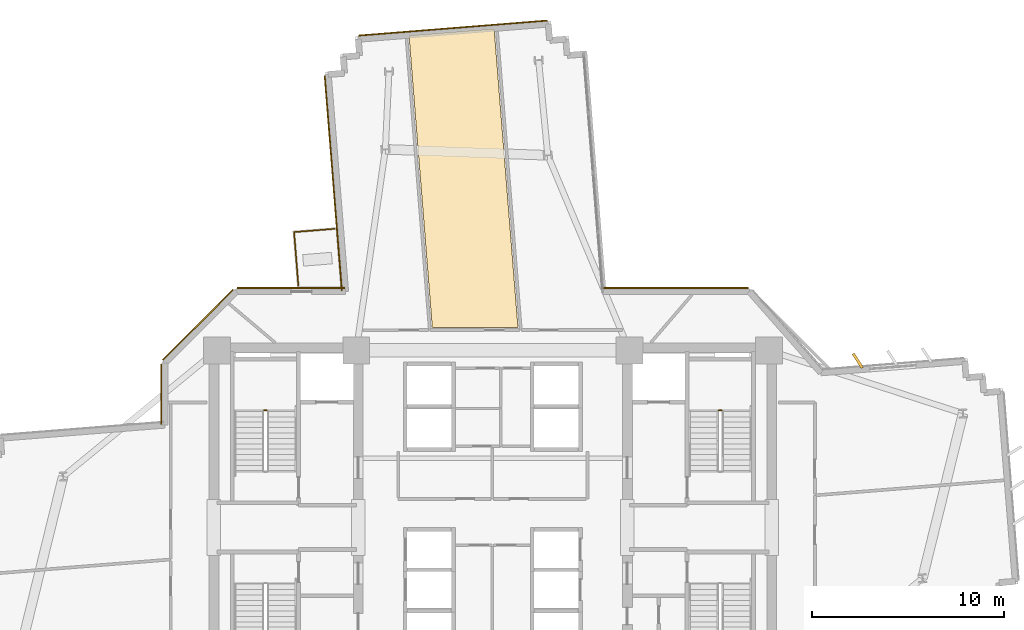
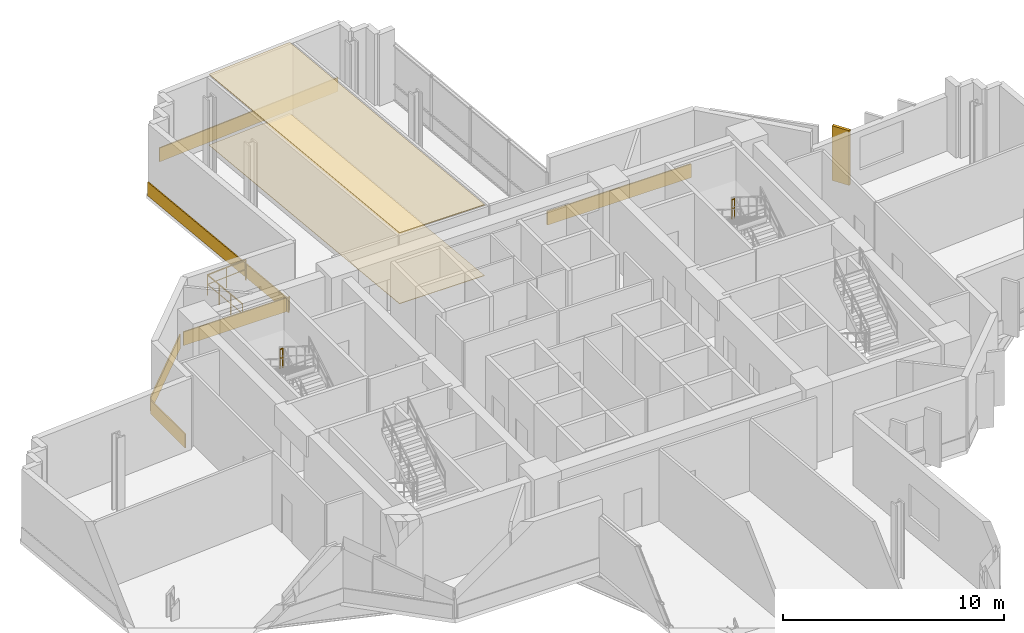
# One storey, part 14 of 15: 9 coverings, 4 railings.
"""IFC4 building model written with IfcOpenShell, lengths in metres."""

from ifc_helpers import new_model, si_unit, direction, frame, origin, origin_2d, place, context, subcontext, project, spatial, polyline, rectangle, outline, extrude, source, transform, mapped, material, layer, layer_set, type_object, element, save


model = new_model("IFC4")

# Units and contexts
model_context = context("Model", 3, precision=1e-05, world=origin(), true_north=direction((0.0, 1.0)))
body_context = subcontext(model_context, "Body", "Model", "MODEL_VIEW")
ifc_project = project(units=[si_unit("LENGTHUNIT", "METRE"), si_unit("AREAUNIT", "SQUARE_METRE"), si_unit("VOLUMEUNIT", "CUBIC_METRE"), si_unit("PLANEANGLEUNIT", "RADIAN"), si_unit("MASSUNIT", "GRAM", prefix="KILO")], contexts=[model_context])

# Site, building, storey
site_placement = place(None, origin())
site = spatial("IfcSite", under=ifc_project, at=site_placement, CompositionType="ELEMENT")
building_placement = place(site_placement, origin())
building = spatial("IfcBuilding", under=site, at=building_placement, Name="Zahravan Cultural Tower", CompositionType="ELEMENT")
storey_placement = place(building_placement, frame((0.0, 0.0, 83.699951171875)))
storey = spatial("IfcBuildingStorey", under=building, at=storey_placement, Name="L18", CompositionType="ELEMENT", Elevation=83.699951171875)

# Coverings
ifc_material_1 = material(Name="Acoustic mineral fibreboard")
ifc_layer_1 = layer(ifc_material_1, 0.0400390625)
ifc_layer_set_1 = layer_set([ifc_layer_1], Name="Acoustic mineral fibreboard")
covering_type_1 = type_object("IfcCoveringType", Name="COV-CEIL-AC20", PredefinedType="CEILING", material=ifc_layer_set_1)
covering_1_placement = place(storey_placement, frame((0.0, 0.0, 3.91015625)))
element("IfcCovering", 1, at=covering_1_placement, inside=storey, type_object=covering_type_1, Name="L18 Acoustic Suspended Ceiling", PredefinedType="CEILING", context=body_context, shape_type="SweptSolid", body=[
    extrude(outline(polyline([(31.642822265625, 52.574462890625), (32.853271484375, 37.39990234375), (37.307373046875, 37.39990234375), (36.06884765625, 52.927490234375), (31.642822265625, 52.574462890625)])), origin(), (0.0, 0.0, 1.0), 0.039794921875),
])
ifc_material_2 = material(Name="Terrazzo flooring")
ifc_layer_2 = layer(ifc_material_2, 0.02490234375)
ifc_layer_set_2 = layer_set([ifc_layer_2], Name="Terrazzo flooring")
covering_type_2 = type_object("IfcCoveringType", Name="COV-FLR-TZ25", PredefinedType="FLOORING", material=ifc_layer_set_2)
covering_2_placement = place(storey_placement, origin())
element("IfcCovering", 2, at=covering_2_placement, inside=storey, type_object=covering_type_2, Name="L18 Polished Terrazzo Flooring", PredefinedType="FLOORING", context=body_context, shape_type="SweptSolid", body=[
    extrude(outline(polyline([(31.642822265625, 52.574462890625), (32.853271484375, 37.39990234375), (37.307373046875, 37.39990234375), (36.06884765625, 52.927490234375), (31.642822265625, 52.574462890625)])), origin(), (0.0, 0.0, 1.0), 0.025146484375),
])

# Railings
ifc_material_3 = material(Name="Steel ASTM A572 Grade 50", Category="steel")
railing_type_1 = type_object("IfcRailingType", Name="RL-BAL-1150", PredefinedType="BALUSTRADE", material=ifc_material_3)
railing_1_placement = place(storey_placement, frame((25.666259765625, 42.357177734375, 0.0)))
element("IfcRailing", 3, at=railing_1_placement, inside=storey, type_object=railing_type_1, Name="L18 Edge Balustrade GRD-TR-L18-NW-01", PredefinedType="BALUSTRADE", context=body_context, shape_type="SweptSolid", body=[
    extrude(rectangle(XDim=0.05, YDim=0.05, at=origin_2d()), frame((0.0, 0.0, 1.125), z_axis=(0.996842940855, 0.079398685551, 0.0), x_axis=(-0.079398685551, 0.996842940855, 0.0)), (0.0, 0.0, 1.0), 2.10009765625),
    extrude(rectangle(XDim=0.032, YDim=0.032, at=origin_2d()), frame((0.0, 0.0, 0.597900390625), z_axis=(0.996842940855, 0.079398685551, 0.0), x_axis=(-0.079398685551, 0.996842940855, 0.0)), (0.0, 0.0, 1.0), 2.10009765625),
    extrude(rectangle(XDim=0.04, YDim=0.04, at=origin_2d()), origin(), (0.0, 0.0, 1.0), 1.14990234375),
    extrude(rectangle(XDim=0.04, YDim=0.04, at=origin_2d()), frame((1.046875, 0.08349609375, 0.0)), (0.0, 0.0, 1.0), 1.14990234375),
    extrude(rectangle(XDim=0.04, YDim=0.04, at=origin_2d()), frame((2.093505859375, 0.166748046875, 0.0)), (0.0, 0.0, 1.0), 1.14990234375),
])
railing_2_placement = place(storey_placement, frame((25.887939453125, 39.580078125, 0.0)))
element("IfcRailing", 4, at=railing_2_placement, inside=storey, type_object=railing_type_1, Name="L18 Edge Balustrade GRD-TR-L18-NW-02", PredefinedType="BALUSTRADE", context=body_context, shape_type="SweptSolid", body=[
    extrude(rectangle(XDim=0.05, YDim=0.05, at=origin_2d()), frame((0.0, 0.0, 1.125), z_axis=(-0.079571068968, 0.996829195491, 0.0), x_axis=(-0.996829195491, -0.079571068968, 0.0)), (0.0, 0.0, 1.0), 2.785888671875),
    extrude(rectangle(XDim=0.032, YDim=0.032, at=origin_2d()), frame((0.0, 0.0, 0.597900390625), z_axis=(-0.079571068968, 0.996829195491, 0.0), x_axis=(-0.996829195491, -0.079571068968, 0.0)), (0.0, 0.0, 1.0), 2.785888671875),
    extrude(rectangle(XDim=0.04, YDim=0.04, at=origin_2d()), origin(), (0.0, 0.0, 1.0), 1.14990234375),
    extrude(rectangle(XDim=0.04, YDim=0.04, at=origin_2d()), frame((-0.073974609375, 0.92578125, 0.0)), (0.0, 0.0, 1.0), 1.14990234375),
    extrude(rectangle(XDim=0.04, YDim=0.04, at=origin_2d()), frame((-0.147705078125, 1.851318359375, 0.0)), (0.0, 0.0, 1.0), 1.14990234375),
    extrude(rectangle(XDim=0.04, YDim=0.04, at=origin_2d()), frame((-0.2216796875, 2.777099609375, 0.0)), (0.0, 0.0, 1.0), 1.14990234375),
])
railing_type_2 = type_object("IfcRailingType", Name="RL-STAIR-GRD1150", PredefinedType="BALUSTRADE", material=ifc_material_3)
for number, where, name in (
    (5, (24.25, 33.080078125, 2.10009765625), "L18 ST-W1 stair guard 2"),
    (6, (47.89990234375, 33.080078125, 2.10009765625), "L18 ST-E1 stair guard 2"),
):
    element("IfcRailing", number, at=place(storey_placement, frame(where)), inside=storey, type_object=railing_type_2, Name=name, PredefinedType="BALUSTRADE", context=body_context, shape_type="SweptSolid", body=[
        extrude(rectangle(XDim=0.05, YDim=0.05, at=origin_2d()), frame((0.0, 0.0, 1.0751953125), z_axis=(-1.0, 0.0, 0.0), x_axis=(0.0, -1.0, 0.0)), (0.0, 0.0, 1.0), 0.14990234375),
        extrude(rectangle(XDim=0.032, YDim=0.032, at=origin_2d()), frame((0.0, 0.0, 0.572021484375), z_axis=(-1.0, 0.0, 0.0), x_axis=(0.0, -1.0, 0.0)), (0.0, 0.0, 1.0), 0.14990234375),
        extrude(rectangle(XDim=0.04, YDim=0.04, at=origin_2d()), origin(), (0.0, 0.0, 1.0), 1.10009765625),
        extrude(rectangle(XDim=0.04, YDim=0.04, at=origin_2d()), frame((-0.14990234375, 0.0, 0.0)), (0.0, 0.0, 1.0), 1.10009765625),
    ])

# Coverings
ifc_material_4 = material(Name="Terracotta ceramic cladding", Category="masonry")
ifc_layer_3 = layer(ifc_material_4, 0.06005859375)
ifc_layer_set_3 = layer_set([ifc_layer_3], Name="Terracotta ceramic cladding")
covering_type_3 = type_object("IfcCoveringType", Name="COV-CLAD-TC60", PredefinedType="CLADDING", material=ifc_layer_set_3)
shared_shape_1 = source(origin(), body_context, "Body", "SweptSolid", [
    extrude(rectangle(XDim=9.820068359375, YDim=0.06005859375, at=origin_2d()), origin(), (0.0, 0.0, 1.0), 0.760009765625),
])
covering_3_placement = place(storey_placement, frame((33.929443359375, 52.962646484375, 0.02001953125), z_axis=(0.0, 0.0, 1.0), x_axis=(0.996834624954, 0.079503021908, 0.0)))
element("IfcCovering", 7, at=covering_3_placement, inside=storey, type_object=covering_type_3, Name="L18 Terracotta Spandrel Cladding 46", PredefinedType="CLADDING", context=body_context, shape_type="MappedRepresentation", body=[
    mapped(shared_shape_1, transform((0.0, 0.0, 0.0), x_axis=(1.0, 0.0, 0.0), y_axis=(0.0, 1.0, 0.0), z_axis=(0.0, 0.0, 1.0), scale=1.0)),
])
shared_shape_2 = source(origin(), body_context, "Body", "SweptSolid", [
    extrude(rectangle(XDim=5.157958984375, YDim=0.06005859375, at=origin_2d()), origin(), (0.0, 0.0, 1.0), 0.760009765625),
])
covering_4_placement = place(storey_placement, frame((20.668212890625, 37.53173828125, 0.02001953125), z_axis=(0.0, 0.0, 1.0), x_axis=(0.707106781187, 0.707106781187, 0.0)))
element("IfcCovering", 8, at=covering_4_placement, inside=storey, type_object=covering_type_3, Name="L18 Terracotta Spandrel Cladding 39", PredefinedType="CLADDING", context=body_context, shape_type="MappedRepresentation", body=[
    mapped(shared_shape_2, transform((0.0, 0.0, 0.0), x_axis=(1.0, 0.0, 0.0), y_axis=(0.0, 1.0, 0.0), z_axis=(0.0, 0.0, 1.0), scale=1.0)),
])
shared_shape_3 = source(origin(), body_context, "Body", "SweptSolid", [
    extrude(rectangle(XDim=0.8798828125, YDim=0.139892578125, at=origin_2d()), origin(), (0.0, 0.0, 1.0), 3.030029296875),
])
covering_5_placement = place(storey_placement, frame((54.973876953125, 35.666015625, 0.0498046875), z_axis=(0.0, 0.0, 1.0), x_axis=(-0.538182511035, 0.842828324641, 0.0)))
element("IfcCovering", 9, at=covering_5_placement, inside=storey, type_object=covering_type_3, Name="L18 Herringbone Terracotta Fin 01", PredefinedType="CLADDING", context=body_context, shape_type="MappedRepresentation", body=[
    mapped(shared_shape_3, transform((0.0, 0.0, 0.0), x_axis=(1.0, 0.0, 0.0), y_axis=(0.0, 1.0, 0.0), z_axis=(0.0, 0.0, 1.0), scale=1.0)),
])
shared_shape_4 = source(origin(), body_context, "Body", "SweptSolid", [
    extrude(rectangle(XDim=3.12158203125, YDim=0.06005859375, at=origin_2d()), origin(), (0.0, 0.0, 1.0), 0.760009765625),
])
covering_6_placement = place(storey_placement, frame((18.7548828125, 33.931396484375, 0.02001953125), z_axis=(0.0, 0.0, 1.0), x_axis=(0.0, 1.0, 0.0)))
element("IfcCovering", 10, at=covering_6_placement, inside=storey, type_object=covering_type_3, Name="L18 Terracotta Spandrel Cladding 38", PredefinedType="CLADDING", context=body_context, shape_type="MappedRepresentation", body=[
    mapped(shared_shape_4, transform((0.0, 0.0, 0.0), x_axis=(1.0, 0.0, 0.0), y_axis=(0.0, 1.0, 0.0), z_axis=(0.0, 0.0, 1.0), scale=1.0)),
])
shared_shape_5 = source(origin(), body_context, "Body", "SweptSolid", [
    extrude(rectangle(XDim=5.5830078125, YDim=0.06005859375, at=origin_2d()), origin(), (0.0, 0.0, 1.0), 0.760009765625),
])
covering_7_placement = place(storey_placement, frame((25.49951171875, 39.445068359375, 0.02001953125), z_axis=(0.0, 0.0, 1.0), x_axis=(1.0, 0.0, 0.0)))
element("IfcCovering", 11, at=covering_7_placement, inside=storey, type_object=covering_type_3, Name="L18 Terracotta Spandrel Cladding 40", PredefinedType="CLADDING", context=body_context, shape_type="MappedRepresentation", body=[
    mapped(shared_shape_5, transform((0.0, 0.0, 0.0), x_axis=(1.0, 0.0, 0.0), y_axis=(0.0, 1.0, 0.0), z_axis=(0.0, 0.0, 1.0), scale=1.0)),
])
shared_shape_6 = source(origin(), body_context, "Body", "SweptSolid", [
    extrude(rectangle(XDim=11.22998046875, YDim=0.06005859375, at=origin_2d()), origin(), (0.0, 0.0, 1.0), 0.760009765625),
])
covering_8_placement = place(storey_placement, frame((27.706298828125, 44.892333984375, 0.02001953125), z_axis=(0.0, 0.0, 1.0), x_axis=(-0.079503021908, 0.996834624954, 0.0)))
element("IfcCovering", 12, at=covering_8_placement, inside=storey, type_object=covering_type_3, Name="L18 Terracotta Spandrel Cladding 41", PredefinedType="CLADDING", context=body_context, shape_type="MappedRepresentation", body=[
    mapped(shared_shape_6, transform((0.0, 0.0, 0.0), x_axis=(1.0, 0.0, 0.0), y_axis=(0.0, 1.0, 0.0), z_axis=(0.0, 0.0, 1.0), scale=1.0)),
])
shared_shape_7 = source(origin(), body_context, "Body", "SweptSolid", [
    extrude(rectangle(XDim=7.53857421875, YDim=0.06005859375, at=origin_2d()), origin(), (0.0, 0.0, 1.0), 0.760009765625),
])
covering_9_placement = place(storey_placement, frame((45.522705078125, 39.445068359375, 0.02001953125), z_axis=(0.0, 0.0, 1.0), x_axis=(1.0, 0.0, 0.0)))
element("IfcCovering", 13, at=covering_9_placement, inside=storey, type_object=covering_type_3, Name="L18 Terracotta Spandrel Cladding 51", PredefinedType="CLADDING", context=body_context, shape_type="MappedRepresentation", body=[
    mapped(shared_shape_7, transform((0.0, 0.0, 0.0), x_axis=(1.0, 0.0, 0.0), y_axis=(0.0, 1.0, 0.0), z_axis=(0.0, 0.0, 1.0), scale=1.0)),
])

save(model, "model.ifc")
